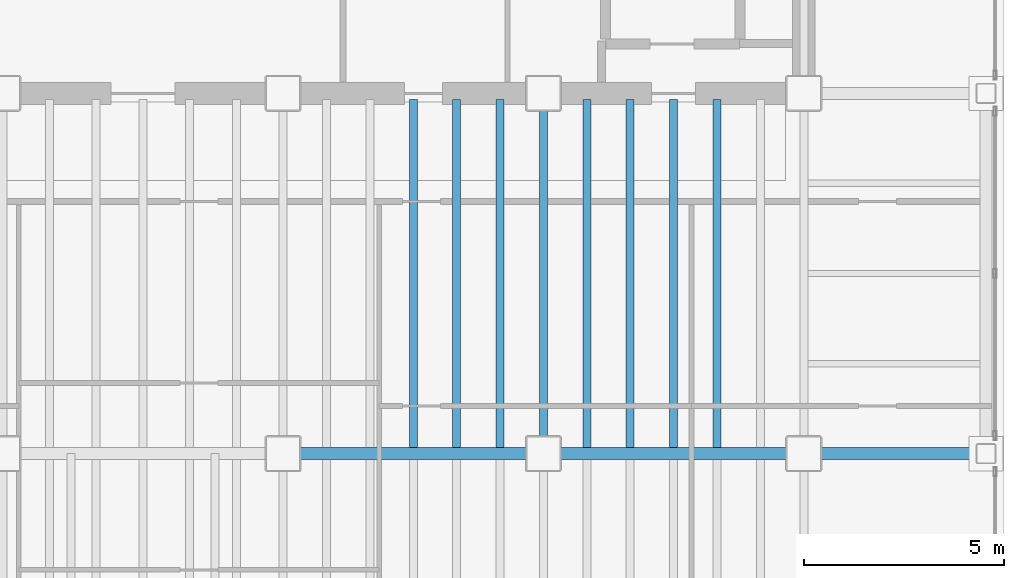
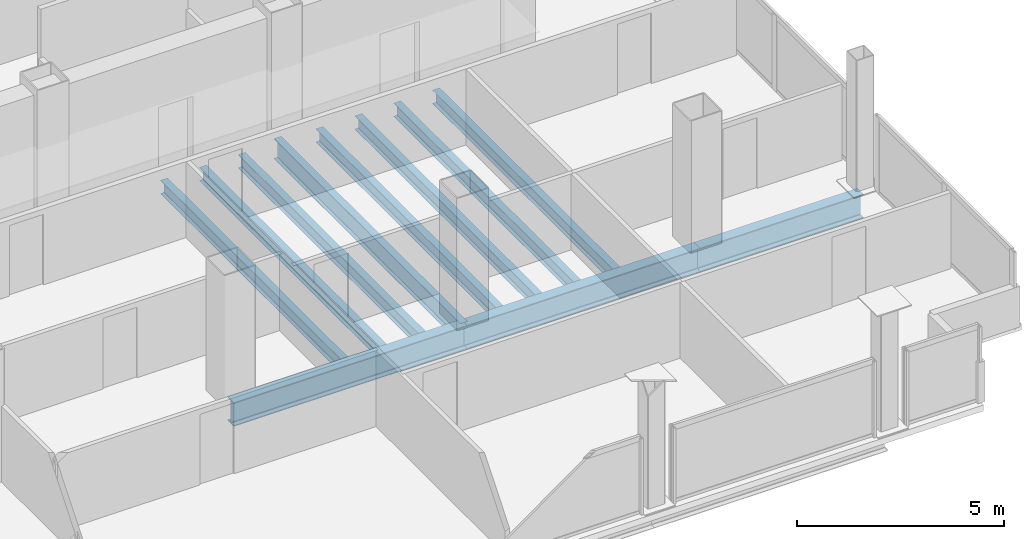
# One storey, part 15 of 22: 11 beams.
"""IFC4 building model written with IfcOpenShell, lengths in metres."""

from ifc_helpers import new_model, si_unit, direction, frame, origin, origin_2d, place, context, subcontext, project, spatial, i_section, extrude, material, material_profile, profile_set, type_object, element, save


model = new_model("IFC4")

# Units and contexts
model_context = context("Model", 3, precision=1e-05, world=origin(), true_north=direction((0.0, 1.0)))
body_context = subcontext(model_context, "Body", "Model", "MODEL_VIEW")
ifc_project = project(units=[si_unit("LENGTHUNIT", "METRE"), si_unit("AREAUNIT", "SQUARE_METRE"), si_unit("VOLUMEUNIT", "CUBIC_METRE"), si_unit("PLANEANGLEUNIT", "RADIAN"), si_unit("MASSUNIT", "GRAM", prefix="KILO")], contexts=[model_context])

# Site, building, storey
site_placement = place(None, origin())
site = spatial("IfcSite", under=ifc_project, at=site_placement, CompositionType="ELEMENT")
building_placement = place(site_placement, origin())
building = spatial("IfcBuilding", under=site, at=building_placement, Name="Noeulbin Bourse Tower", CompositionType="ELEMENT")
storey_placement = place(building_placement, frame((0.0, 0.0, 138.300048828125)))
storey = spatial("IfcBuildingStorey", under=building, at=storey_placement, Name="L34", CompositionType="ELEMENT", Elevation=138.300048828125)

# Beams
ifc_material = material(Name="Steel S355", Category="steel")
ifc_material_profile_1 = material_profile(ifc_material, i_section(OverallWidth=0.199951171875, OverallDepth=0.60009765625, WebThickness=0.010986328125, FlangeThickness=0.01708984375, FilletRadius=0.02197265625, at=origin_2d()), Name="H-600x200x11x17", Category="LoadBearing")
ifc_profile_set_1 = profile_set([ifc_material_profile_1], Name="Steel S355")
beam_type_1 = type_object("IfcBeamType", Name="BM-GRD-600", PredefinedType="USERDEFINED", material=ifc_profile_set_1)
beam_1_placement = place(storey_placement, frame((37.5, 20.0, -0.47998046875), z_axis=(0.0, 1.0, 0.0), x_axis=(-1.0, 0.0, 0.0)))
element("IfcBeam", 1, at=beam_1_placement, inside=storey, type_object=beam_type_1, Name="Tower Primary Girder NS L34-4.2", ObjectType="GIRDER", PredefinedType="USERDEFINED", context=body_context, shape_type="SweptSolid", body=[
    extrude(i_section(OverallWidth=0.199951171875, OverallDepth=0.60009765625, WebThickness=0.010986328125, FlangeThickness=0.01708984375, FilletRadius=0.02197265625, at=origin_2d()), origin(), (0.0, 0.0, 1.0), 9.0),
])
ifc_material_profile_2 = material_profile(ifc_material, i_section(OverallWidth=0.300048828125, OverallDepth=0.699951171875, WebThickness=0.012939453125, FlangeThickness=0.02392578125, FilletRadius=0.02392578125, at=origin_2d()), Name="H-700x300x13x24", Category="LoadBearing")
ifc_profile_set_2 = profile_set([ifc_material_profile_2], Name="Steel S355")
beam_type_2 = type_object("IfcBeamType", Name="BM-GRD-700", PredefinedType="USERDEFINED", material=ifc_profile_set_2)
for number, where, z_axis, x_axis, name in (
    (2, (31.0, 20.0, -0.530029296875), (1.0, 0.0, 0.0), (0.0, 1.0, 0.0), "Tower Primary Girder EW L34-1.4"),
    (3, (37.5, 20.0, -0.530029296875), (1.0, 0.0, 0.0), (0.0, 1.0, 0.0), "Tower Primary Girder EW L34-1.5"),
):
    element("IfcBeam", number, at=place(storey_placement, frame(where, z_axis=z_axis, x_axis=x_axis)), inside=storey, type_object=beam_type_2, Name=name, ObjectType="GIRDER", PredefinedType="USERDEFINED", context=body_context, shape_type="SweptSolid", body=[
        extrude(i_section(OverallWidth=0.300048828125, OverallDepth=0.699951171875, WebThickness=0.012939453125, FlangeThickness=0.02392578125, FilletRadius=0.02392578125, at=origin_2d()), origin(), (0.0, 0.0, 1.0), 6.5),
    ])
beam_2_placement = place(storey_placement, frame((44.0, 20.0, -0.530029296875), z_axis=(1.0, 0.0, 0.0), x_axis=(0.0, 1.0, 0.0)))
element("IfcBeam", 4, at=beam_2_placement, inside=storey, type_object=beam_type_2, Name="Tower Primary Girder EW L34-1.6", ObjectType="GIRDER", PredefinedType="USERDEFINED", context=body_context, shape_type="SweptSolid", body=[
    extrude(i_section(OverallWidth=0.300048828125, OverallDepth=0.699951171875, WebThickness=0.012939453125, FlangeThickness=0.02392578125, FilletRadius=0.02392578125, at=origin_2d()), origin(), (0.0, 0.0, 1.0), 4.550048828125),
])
ifc_material_profile_3 = material_profile(ifc_material, i_section(OverallWidth=0.199951171875, OverallDepth=0.39990234375, WebThickness=0.008056640625, FlangeThickness=0.012939453125, FilletRadius=0.01611328125, at=origin_2d()), Name="H-400x200x8x13", Category="LoadBearing")
ifc_profile_set_3 = profile_set([ifc_material_profile_3], Name="Steel S355")
beam_type_3 = type_object("IfcBeamType", Name="BM-SEC-400", PredefinedType="BEAM", material=ifc_profile_set_3)
for number, where, z_axis, x_axis, name in (
    (5, (34.25, 20.14990234375, -0.380126953125), (0.0, 1.0, 0.0), (-1.0, 0.0, 0.0), "Tower Composite Joist L34-32"),
    (6, (35.333251953125, 20.14990234375, -0.380126953125), (0.0, 1.0, 0.0), (-1.0, 0.0, 0.0), "Tower Composite Joist L34-34"),
    (7, (36.416748046875, 20.14990234375, -0.380126953125), (0.0, 1.0, 0.0), (-1.0, 0.0, 0.0), "Tower Composite Joist L34-36"),
    (8, (38.583251953125, 20.14990234375, -0.380126953125), (0.0, 1.0, 0.0), (-1.0, 0.0, 0.0), "Tower Composite Joist L34-38"),
    (9, (39.666748046875, 20.14990234375, -0.380126953125), (0.0, 1.0, 0.0), (-1.0, 0.0, 0.0), "Tower Composite Joist L34-40"),
    (10, (40.75, 20.14990234375, -0.380126953125), (0.0, 1.0, 0.0), (-1.0, 0.0, 0.0), "Tower Composite Joist L34-42"),
    (11, (41.833251953125, 20.14990234375, -0.380126953125), (0.0, 1.0, 0.0), (-1.0, 0.0, 0.0), "Tower Composite Joist L34-44"),
):
    element("IfcBeam", number, at=place(storey_placement, frame(where, z_axis=z_axis, x_axis=x_axis)), inside=storey, type_object=beam_type_3, Name=name, PredefinedType="BEAM", context=body_context, shape_type="SweptSolid", body=[
        extrude(i_section(OverallWidth=0.199951171875, OverallDepth=0.39990234375, WebThickness=0.008056640625, FlangeThickness=0.012939453125, FilletRadius=0.01611328125, at=origin_2d()), origin(), (0.0, 0.0, 1.0), 8.7001953125),
    ])

save(model, "model.ifc")
